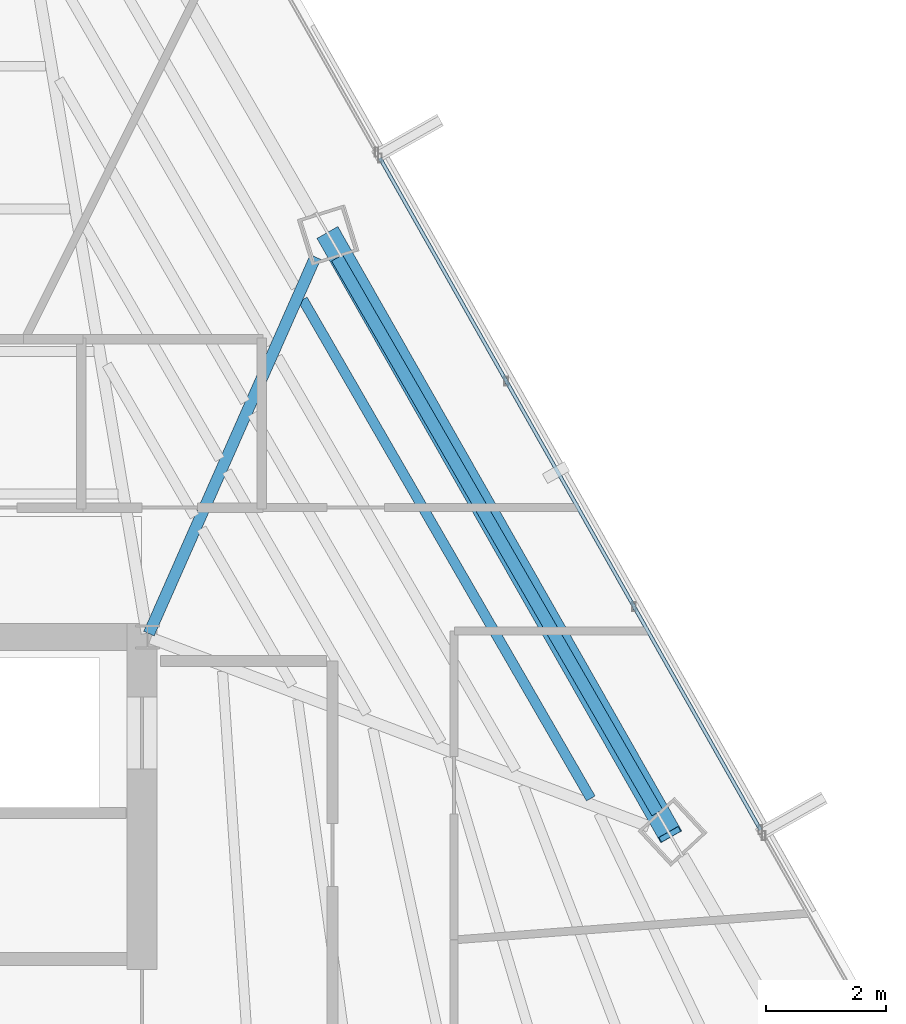
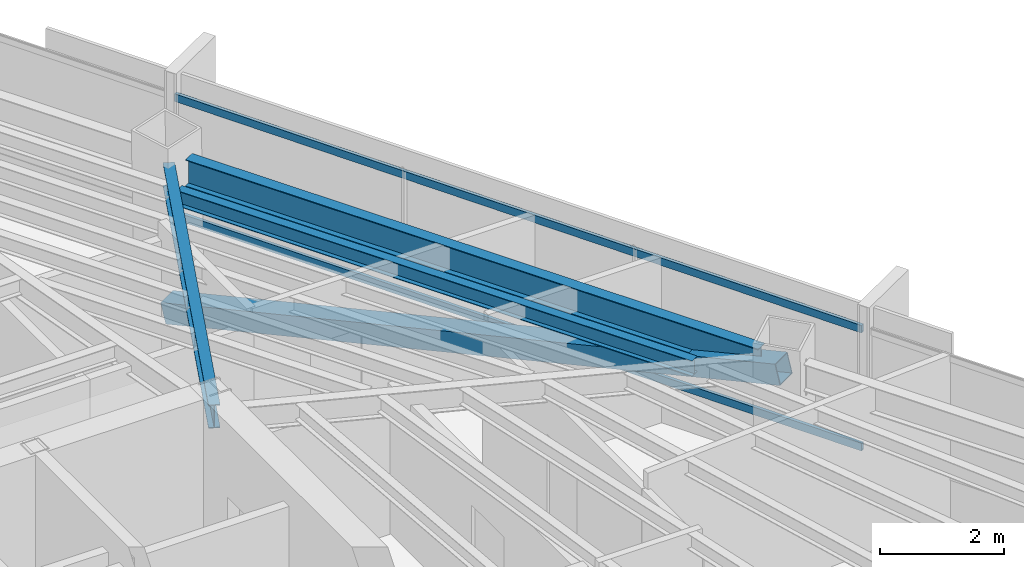
# One storey, part 27 of 40: 3 beams, 3 members, 1 element without a shape of its own.
"""IFC4 building model written with IfcOpenShell, lengths in metres."""

from ifc_helpers import new_model, si_unit, direction, frame, origin, origin_2d, place, context, subcontext, project, spatial, hollow_rectangle, i_section, extrude, source, transform, mapped, material, material_profile, profile_set, type_object, type_shapes, element, aggregate, save


model = new_model("IFC4")

# Units and contexts
model_context = context("Model", 3, precision=1e-05, world=origin(), true_north=direction((0.0, 1.0)))
body_context = subcontext(model_context, "Body", "Model", "MODEL_VIEW")
ifc_project = project(units=[si_unit("LENGTHUNIT", "METRE"), si_unit("AREAUNIT", "SQUARE_METRE"), si_unit("VOLUMEUNIT", "CUBIC_METRE"), si_unit("PLANEANGLEUNIT", "RADIAN"), si_unit("MASSUNIT", "GRAM", prefix="KILO")], contexts=[model_context])

# Site, building, storey
site_placement = place(None, origin())
site = spatial("IfcSite", under=ifc_project, at=site_placement, CompositionType="ELEMENT")
building_placement = place(site_placement, origin())
building = spatial("IfcBuilding", under=site, at=building_placement, Name="Caelisora Broadcast Tower", CompositionType="ELEMENT")
storey_placement = place(building_placement, frame((0.0, 0.0, 216.89990234375)))
storey = spatial("IfcBuildingStorey", under=building, at=storey_placement, Name="L57", CompositionType="ELEMENT", Elevation=216.89990234375)

# Beams
ifc_material_1 = material(Name="Steel Grade 350 (AS/NZS 3679.1)", Category="steel")
ifc_material_profile_1 = material_profile(ifc_material_1, i_section(OverallWidth=0.208984375, OverallDepth=0.532958984375, WebThickness=0.01025390625, FlangeThickness=0.015625, at=origin_2d()), Name="Steel Grade 350 (AS/NZS 3679.1)")
ifc_profile_set_1 = profile_set([ifc_material_profile_1], Name="Steel Grade 350 (AS/NZS 3679.1)")
beam_type_1 = type_object("IfcBeamType", Name="PG05", PredefinedType="BEAM", material=ifc_profile_set_1)
shared_shape_1 = source(origin(), body_context, "Body", "SweptSolid", [
    extrude(i_section(OverallWidth=0.208984375, OverallDepth=0.532958984375, WebThickness=0.01025390625, FlangeThickness=0.015625, at=origin_2d()), origin(), (0.0, 0.0, 1.0), 10.6552734375),
])
type_shapes(beam_type_1, [shared_shape_1])
beam_1_placement = place(storey_placement, frame((53.981689453125, 27.0751953125, 2.983642578125), z_axis=(-0.49999814194, 0.866026476533, 0.0), x_axis=(-0.866026476533, -0.49999814194, 0.0)))
element("IfcBeam", 1, at=beam_1_placement, inside=storey, type_object=beam_type_1, Name="L57 beam PG05", PredefinedType="BEAM", context=body_context, shape_type="MappedRepresentation", body=[
    mapped(shared_shape_1, transform((0.0, 0.0, 0.0), scale=1.0)),
])
ifc_material_profile_2 = material_profile(ifc_material_1, i_section(OverallWidth=0.19091796875, OverallDepth=0.46044921875, WebThickness=0.010009765625, FlangeThickness=0.01611328125, at=origin_2d()), Name="Steel Grade 350 (AS/NZS 3679.1)")
ifc_profile_set_2 = profile_set([ifc_material_profile_2], Name="Steel Grade 350 (AS/NZS 3679.1)")
beam_type_2 = type_object("IfcBeamType", Name="PG06", PredefinedType="BEAM", material=ifc_profile_set_2)
shared_shape_2 = source(origin(), body_context, "Body", "SweptSolid", [
    extrude(i_section(OverallWidth=0.19091796875, OverallDepth=0.46044921875, WebThickness=0.010009765625, FlangeThickness=0.01611328125, at=origin_2d()), origin(), (0.0, 0.0, 1.0), 6.849365234375),
])
type_shapes(beam_type_2, [shared_shape_2])
beam_2_placement = place(storey_placement, frame((45.5244140625, 30.054931640625, 3.02001953125), z_axis=(0.404351788184, 0.91460353782, 0.0), x_axis=(-0.91460353782, 0.404351788184, 0.0)))
element("IfcBeam", 2, at=beam_2_placement, inside=storey, type_object=beam_type_2, Name="L57 beam PG06", PredefinedType="BEAM", context=body_context, shape_type="MappedRepresentation", body=[
    mapped(shared_shape_2, transform((0.0, 0.0, 0.0), scale=1.0)),
])
ifc_material_profile_3 = material_profile(ifc_material_1, i_section(OverallWidth=0.166015625, OverallDepth=0.30712890625, WebThickness=0.006591796875, FlangeThickness=0.01171875, at=origin_2d()), Name="Steel Grade 350 (AS/NZS 3679.1)")
ifc_profile_set_3 = profile_set([ifc_material_profile_3], Name="Steel Grade 350 (AS/NZS 3679.1)")
beam_type_3 = type_object("IfcBeamType", Name="SB03", PredefinedType="JOIST", material=ifc_profile_set_3)
shared_shape_3 = source(origin(), body_context, "Body", "SweptSolid", [
    extrude(i_section(OverallWidth=0.166015625, OverallDepth=0.30712890625, WebThickness=0.006591796875, FlangeThickness=0.01171875, at=origin_2d()), origin(), (0.0, 0.0, 1.0), 9.583251953125),
])
type_shapes(beam_type_3, [shared_shape_3])
beam_3_placement = place(storey_placement, frame((52.87451171875, 27.312255859375, 3.096435546875), z_axis=(-0.500010603231, 0.86601928192, 0.0), x_axis=(-0.86601928192, -0.500010603231, 0.0)))
element("IfcBeam", 3, at=beam_3_placement, inside=storey, type_object=beam_type_3, Name="L57 beam SB03", PredefinedType="JOIST", context=body_context, shape_type="MappedRepresentation", body=[
    mapped(shared_shape_3, transform((0.0, 0.0, 0.0), scale=1.0)),
])

# Member
ifc_material_2 = material(Name="Steel Grade 450 (AS/NZS 1163 C450L0)", Category="steel")
ifc_material_profile_4 = material_profile(ifc_material_2, hollow_rectangle(XDim=0.39990234375, YDim=0.39990234375, WallThickness=0.01611328125, at=origin_2d()), Name="Steel Grade 450 (AS/NZS 1163 C450L0)")
ifc_profile_set_4 = profile_set([ifc_material_profile_4], Name="Steel Grade 450 (AS/NZS 1163 C450L0)")
member_type_1 = type_object("IfcMemberType", Name="BR04", PredefinedType="BRACE", material=ifc_profile_set_4)
shared_shape_4 = source(origin(), body_context, "Body", "SweptSolid", [
    extrude(hollow_rectangle(XDim=0.39990234375, YDim=0.39990234375, WallThickness=0.01611328125, at=origin_2d()), origin(), (0.0, 0.0, 1.0), 11.820068359375),
])
type_shapes(member_type_1, [shared_shape_4])
member_1_placement = place(storey_placement, frame((54.189697265625, 26.71484375, 2.9501953125), z_axis=(-0.479933324524, 0.843518550536, -0.241123327186), x_axis=(-0.869163674304, -0.49452452646, 0.0)))
element("IfcMember", 4, at=member_1_placement, inside=storey, type_object=member_type_1, Name="L57 perimeter brace BR04", PredefinedType="BRACE", context=body_context, shape_type="MappedRepresentation", body=[
    mapped(shared_shape_4, transform((0.0, 0.0, 0.0), scale=1.0)),
])

# Curtain wall, members
ifc_material_3 = material(Name="Unitised Aluminium Insulated Shadow-Box Spandrel Curtain Wall", Category="aluminium")
curtain_wall_type = type_object("IfcCurtainWallType", Name="CW-SP2", PredefinedType="NOTDEFINED", material=ifc_material_3)
curtain_wall_placement = place(storey_placement, origin())
curtain_wall = element("IfcCurtainWall", 5, at=curtain_wall_placement, inside=storey, type_object=curtain_wall_type, Name="L57 curtain wall CW-SP2", PredefinedType="NOTDEFINED")
ifc_material_4 = material(Name="Aluminium 6063-T6 Anodised Terracotta Bronze", Category="aluminium")
ifc_material_profile_5 = material_profile(ifc_material_4, hollow_rectangle(XDim=0.06005859375, YDim=0.14990234375, WallThickness=0.00341796875, at=origin_2d()), Name="Aluminium 6063-T6 Anodised Terracotta Bronze")
ifc_profile_set_5 = profile_set([ifc_material_profile_5], Name="Aluminium 6063-T6 Anodised Terracotta Bronze")
member_type_2 = type_object("IfcMemberType", Name="CWT-02", PredefinedType="USERDEFINED", material=ifc_profile_set_5)
shared_shape_5 = source(origin(), body_context, "Body", "SweptSolid", [
    extrude(hollow_rectangle(XDim=0.06005859375, YDim=0.14990234375, WallThickness=0.00341796875, at=origin_2d()), origin(), (0.0, 0.0, 1.0), 12.84423828125),
])
type_shapes(member_type_2, [shared_shape_5])
member_2_placement = place(storey_placement, frame((49.36669921875, 37.96533203125, 0.85009765625), z_axis=(0.492895066721, -0.87008876168, 0.0), x_axis=(0.87008876168, 0.492895066721, 0.0)))
member_2 = element("IfcMember", 6, at=member_2_placement, type_object=member_type_2, Name="L57-CW-B02 transom #1", ObjectType="TRANSOM", PredefinedType="USERDEFINED", context=body_context, shape_type="MappedRepresentation", body=[
    mapped(shared_shape_5, transform((0.0, 0.0, 0.0), scale=1.0)),
])
member_3_placement = place(storey_placement, frame((49.36669921875, 37.96533203125, 3.170166015625), z_axis=(0.492895066721, -0.87008876168, 0.0), x_axis=(0.87008876168, 0.492895066721, 0.0)))
member_3 = element("IfcMember", 7, at=member_3_placement, type_object=member_type_2, Name="L57-CW-B02 transom #2", ObjectType="TRANSOM", PredefinedType="USERDEFINED", context=body_context, shape_type="MappedRepresentation", body=[
    mapped(shared_shape_5, transform((0.0, 0.0, 0.0), scale=1.0)),
])
aggregate(curtain_wall, [member_2, member_3])

save(model, "model.ifc")
